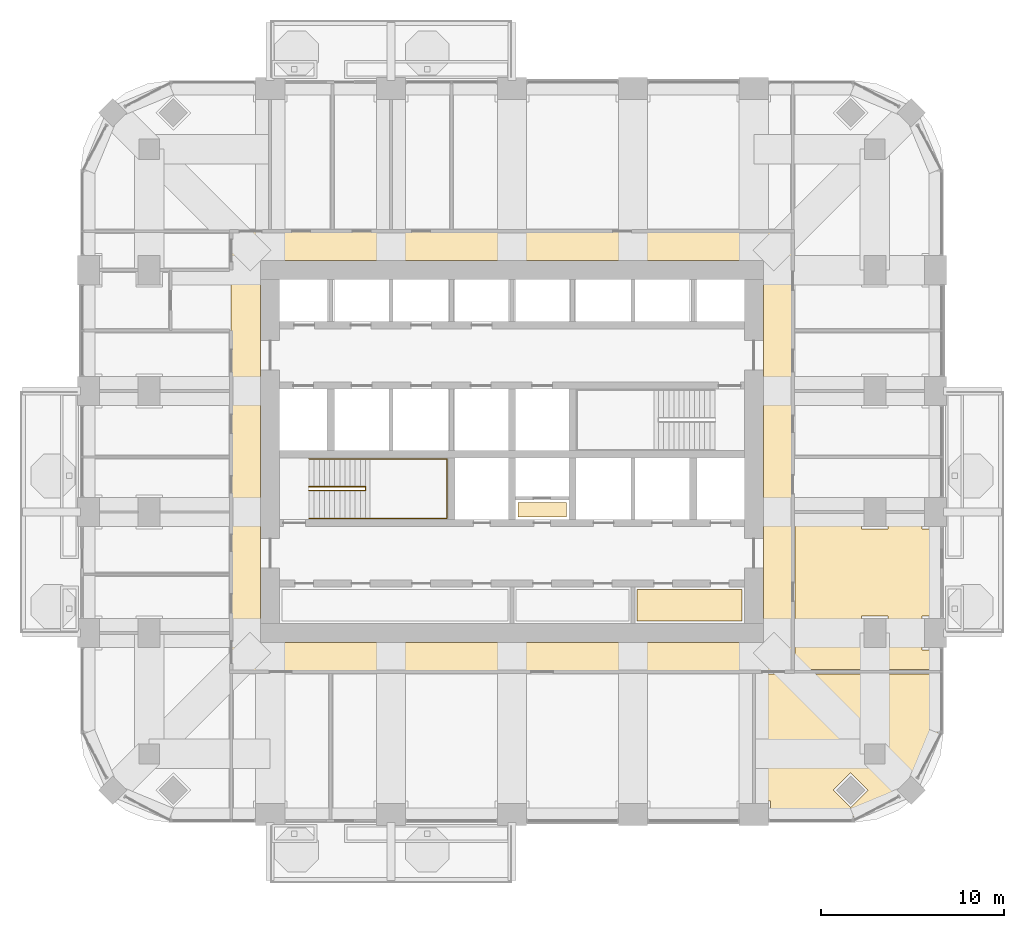
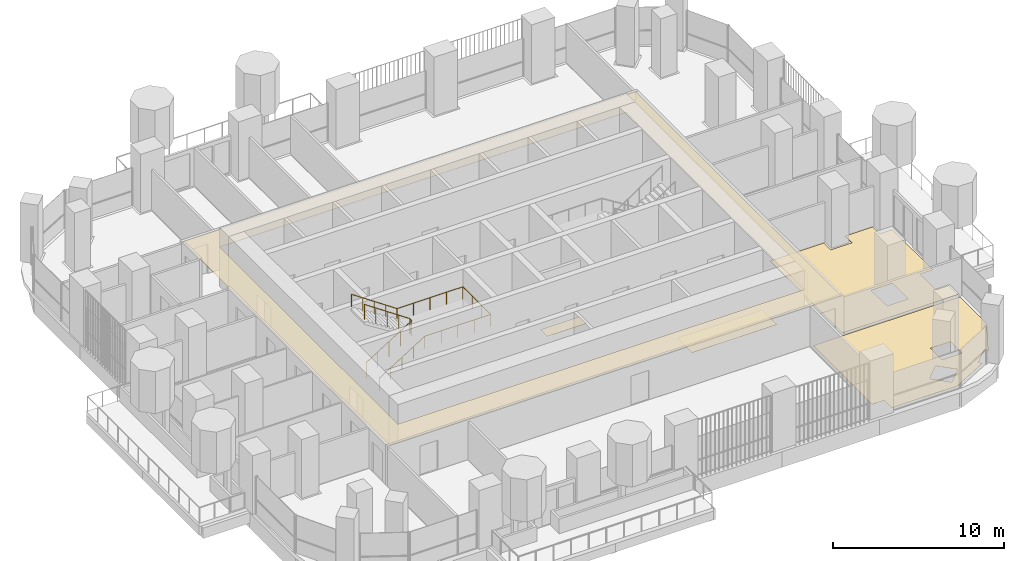
# One storey, part 17 of 20: 5 coverings, 2 railings.
"""IFC4 building model written with IfcOpenShell, lengths in metres."""

import ifcopenshell
import ifcopenshell.guid

model = None  # the IFC model being written
_history = None  # IfcOwnerHistory: only IFC2X3 demands one
_inside = {}  # id of a spatial element -> (the spatial element, [elements in it])
_under = {}  # id of a project, library or spatial element -> (it, [spatial elements below it])
_declared = {}  # id of a project -> (the project, [libraries it declares])
_typed = {}  # id of a type object -> (the type object, [elements of that type])
_made_of = {}  # id of a material, layer set ... -> (it, [elements and type objects made of it])


def new_model(schema):
    """Start an empty IFC model of exactly this schema.

    Asked for "IFC4X3", IfcOpenShell would pick the latest addendum, in which some entities
    have other attributes; the version numbers below select the first issue.
    IFC2X3 requires an IfcOwnerHistory on every rooted entity: one is made here for all.
    """
    global model, _history
    if schema == "IFC4X3":
        model = ifcopenshell.file(schema_version=(4, 3, 0, 0))
    else:
        model = ifcopenshell.file(schema=schema)
    _inside.clear()
    _under.clear()
    _declared.clear()
    _typed.clear()
    _made_of.clear()
    _history = None
    if model.schema == "IFC2X3":
        org = make("IfcOrganization", Name="unknown")
        user = make(
            "IfcPersonAndOrganization",
            ThePerson=make("IfcPerson", FamilyName="unknown"),
            TheOrganization=org,
        )
        app = make(
            "IfcApplication",
            ApplicationDeveloper=org,
            Version="unknown",
            ApplicationFullName="unknown",
            ApplicationIdentifier="unknown",
        )
        _history = make(
            "IfcOwnerHistory",
            OwningUser=user,
            OwningApplication=app,
            ChangeAction="ADDED",
            CreationDate=0,
        )
    return model


def make(cls, **values):
    """One entity of the class cls with the attributes given. An attribute that is None is left unset."""
    return model.create_entity(
        cls, **{name: value for name, value in values.items() if value is not None}
    )


def rooted(cls, **values):
    """An entity with a GlobalId (a new one), such as an element, a storey or a relation."""
    return make(cls, GlobalId=ifcopenshell.guid.new(), OwnerHistory=_history, **values)


def si_unit(unit_type, name, prefix=None):
    """IfcSIUnit, for example si_unit("LENGTHUNIT", "METRE", prefix="MILLI")."""
    return make("IfcSIUnit", UnitType=unit_type, Prefix=prefix, Name=name)


def assignment(units):
    """IfcUnitAssignment: the units of a project."""
    return None if units is None else make("IfcUnitAssignment", Units=units)


def point(xyz):
    """IfcCartesianPoint."""
    return None if xyz is None else make("IfcCartesianPoint", Coordinates=xyz)


def direction(xyz):
    """IfcDirection."""
    return None if xyz is None else make("IfcDirection", DirectionRatios=xyz)


def frame(location, z_axis=None, x_axis=None):
    """IfcAxis2Placement3D, a coordinate frame: its origin and axes. An axis left out is left unset."""
    return make(
        "IfcAxis2Placement3D",
        Location=point(location),
        Axis=direction(z_axis),
        RefDirection=direction(x_axis),
    )


def origin():
    """The frame at (0, 0, 0) with its axes left unset."""
    return frame((0.0, 0.0, 0.0))


def place(relative_to, where):
    """IfcLocalPlacement: puts the frame where relative to a parent placement (None: the world)."""
    return make(
        "IfcLocalPlacement", PlacementRelTo=relative_to, RelativePlacement=where
    )


def context(
    kind, dimensions, precision=None, world=None, true_north=None, identifier=None
):
    """IfcGeometricRepresentationContext, for example the 3D "Model" context."""
    return make(
        "IfcGeometricRepresentationContext",
        ContextIdentifier=identifier,
        ContextType=kind,
        CoordinateSpaceDimension=dimensions,
        Precision=precision,
        WorldCoordinateSystem=world,
        TrueNorth=true_north,
    )


def subcontext(parent, identifier, kind, view, scale=None):
    """IfcGeometricRepresentationSubContext, for example "Body" below "Model"."""
    return make(
        "IfcGeometricRepresentationSubContext",
        ContextIdentifier=identifier,
        ContextType=kind,
        ParentContext=parent,
        TargetScale=scale,
        TargetView=view,
    )


def project(units=None, contexts=None):
    """IfcProject with its units and contexts."""
    return rooted(
        "IfcProject",
        Name="project",
        RepresentationContexts=contexts,
        UnitsInContext=assignment(units),
    )


def spatial(cls, under=None, at=None, **own):
    """A site, building, storey or space (cls), placed at a placement, below another one or the project."""
    s = rooted(cls, ObjectPlacement=at, **own)
    if under is not None:
        _under.setdefault(under.id(), (under, []))[1].append(s)
    return s


def polyline(points):
    """IfcPolyline through the points."""
    return make("IfcPolyline", Points=[point(p) for p in points])


def outline(outer, holes=None, kind="AREA"):
    """IfcArbitraryClosedProfileDef: a profile drawn as a closed curve; with holes, ...WithVoids."""
    if holes is None:
        return make("IfcArbitraryClosedProfileDef", ProfileType=kind, OuterCurve=outer)
    return make(
        "IfcArbitraryProfileDefWithVoids",
        ProfileType=kind,
        OuterCurve=outer,
        InnerCurves=holes,
    )


def extrude(swept, where, along, depth):
    """IfcExtrudedAreaSolid: the profile swept, set in the frame where, extruded along a direction by depth."""
    return make(
        "IfcExtrudedAreaSolid",
        SweptArea=swept,
        Position=where,
        ExtrudedDirection=direction(along),
        Depth=depth,
    )


def shape(context_of_items, identifier, shape_type, items):
    """IfcShapeRepresentation: the items that make up one representation, for example the "Body"."""
    return make(
        "IfcShapeRepresentation",
        ContextOfItems=context_of_items,
        RepresentationIdentifier=identifier,
        RepresentationType=shape_type,
        Items=items,
    )


def material(Name=None, Category=None):
    """IfcMaterial."""
    return make("IfcMaterial", Name=Name, Category=Category)


def layer(
    of_material, thickness, ventilated=None, Name=None, Category=None, Priority=None
):
    """IfcMaterialLayer: one layer of a wall or slab, of a material (None: an air gap)."""
    return make(
        "IfcMaterialLayer",
        Material=of_material,
        LayerThickness=thickness,
        IsVentilated=ventilated,
        Name=Name,
        Category=Category,
        Priority=Priority,
    )


def layer_set(layers, Name=None):
    """IfcMaterialLayerSet."""
    return make("IfcMaterialLayerSet", MaterialLayers=layers, LayerSetName=Name)


def made_of(thing, what):
    """Note that an element or type object is made of a material, layer set ...; save() writes the relation."""
    if what is not None:
        _made_of.setdefault(what.id(), (what, []))[1].append(thing)
    return thing


def type_object(cls, material=None, **own):
    """A type object (cls), such as IfcWallType, which elements share."""
    return made_of(rooted(cls, **own), material)


def element(
    cls,
    number,
    at=None,
    inside=None,
    cuts=None,
    type_object=None,
    material=None,
    context=None,
    identifier="Body",
    shape_type=None,
    held_by="IfcProductDefinitionShape",
    body=None,
    shapes=None,
    **own,
):
    """One element of the class cls, such as IfcWall. Its Tag is "e" and its number.

    at: its placement. inside: the storey or other place that contains it. cuts: it is an
    opening in that element (IfcRelVoidsElement). A single representation is given by context,
    identifier, shape_type and body (its items); several are given by shapes. held_by: the class
    of the entity that holds the representations. save() writes the other relations.
    """
    e = rooted(cls, Tag="e%d" % number, ObjectPlacement=at, **own)
    if body is not None:
        shapes = [shape(context, identifier, shape_type, body)]
    if shapes is not None:
        e.Representation = make(held_by, Representations=shapes)
    if inside is not None:
        _inside.setdefault(inside.id(), (inside, []))[1].append(e)
    if cuts is not None:
        rooted(
            "IfcRelVoidsElement", RelatingBuildingElement=cuts, RelatedOpeningElement=e
        )
    if type_object is not None:
        _typed.setdefault(type_object.id(), (type_object, []))[1].append(e)
    return made_of(e, material)


def aggregate(whole, parts):
    """IfcRelAggregates: a whole, such as a stair, and the parts it consists of."""
    return rooted("IfcRelAggregates", RelatingObject=whole, RelatedObjects=parts)


def save(model, path):
    """Write the relations noted so far, then the file.

    IfcRelAggregates (storeys below a building ...), IfcRelContainedInSpatialStructure (elements
    in a storey), IfcRelDefinesByType, IfcRelAssociatesMaterial and IfcRelDeclares: one each for
    every whole, place, type object, material and project.
    """
    for whole, parts in _under.values():
        aggregate(whole, parts)
    for where, things in _inside.values():
        rooted(
            "IfcRelContainedInSpatialStructure",
            RelatedElements=things,
            RelatingStructure=where,
        )
    for kind, things in _typed.values():
        rooted("IfcRelDefinesByType", RelatedObjects=things, RelatingType=kind)
    for what, things in _made_of.values():
        rooted("IfcRelAssociatesMaterial", RelatedObjects=things, RelatingMaterial=what)
    for by, libraries in _declared.values():
        rooted("IfcRelDeclares", RelatingContext=by, RelatedDefinitions=libraries)
    model.write(path)


model = new_model("IFC4")

# Units and contexts
model_context = context("Model", 3, precision=1e-05, world=origin(), true_north=direction((0.0, 1.0)))
body_context = subcontext(model_context, "Body", "Model", "MODEL_VIEW")
ifc_project = project(units=[si_unit("LENGTHUNIT", "METRE"), si_unit("AREAUNIT", "SQUARE_METRE"), si_unit("VOLUMEUNIT", "CUBIC_METRE"), si_unit("PLANEANGLEUNIT", "RADIAN"), si_unit("MASSUNIT", "GRAM", prefix="KILO")], contexts=[model_context])

# Site, building, storey
site_placement = place(None, origin())
site = spatial("IfcSite", under=ifc_project, at=site_placement, CompositionType="ELEMENT")
building_placement = place(site_placement, origin())
building = spatial("IfcBuilding", under=site, at=building_placement, Name="Cobogo Forest Laboratory Tower", CompositionType="ELEMENT")
storey_placement = place(building_placement, frame((0.0, 0.0, 201.89990234375)))
storey = spatial("IfcBuildingStorey", under=building, at=storey_placement, Name="L46", CompositionType="ELEMENT", Elevation=201.89990234375)

# Coverings
ifc_material_1 = material(Name="Mineral fibre ceiling tile", Category="ceiling")
ifc_layer_1 = layer(ifc_material_1, 0.02001953125)
ifc_layer_set_1 = layer_set([ifc_layer_1], Name="CL1 suspended ceiling")
covering_type_1 = type_object("IfcCoveringType", Name="CL1 suspended ceiling", PredefinedType="CEILING", material=ifc_layer_set_1)
covering_1_placement = place(storey_placement, frame((0.0, 0.0, 2.800048828125)))
element("IfcCovering", 1, at=covering_1_placement, inside=storey, type_object=covering_type_1, Name="Corridor ceiling L46", PredefinedType="CEILING", context=body_context, shape_type="SweptSolid", body=[
    extrude(outline(polyline([(11.074951171875, 11.074951171875), (11.074951171875, 35.125), (41.72509765625, 35.125), (41.72509765625, 11.074951171875), (11.074951171875, 11.074951171875)]), holes=[polyline([(40.125, 33.52490234375), (12.675048828125, 33.52490234375), (12.675048828125, 12.675048828125), (40.125, 12.675048828125), (40.125, 33.52490234375)])]), origin(), (0.0, 0.0, 1.0), 0.02001953125),
])
ifc_material_2 = material(Name="Carpet tile on raised access floor", Category="flooring")
ifc_layer_2 = layer(ifc_material_2, 0.008056640625)
ifc_layer_set_2 = layer_set([ifc_layer_2], Name="CT1 carpet tile floor 8")
covering_type_2 = type_object("IfcCoveringType", Name="CT1 carpet tile floor 8", PredefinedType="FLOORING", material=ifc_layer_set_2)
covering_2_placement = place(storey_placement, origin())
element("IfcCovering", 2, at=covering_2_placement, inside=storey, type_object=covering_type_2, Name="Carpet floor L46-04", PredefinedType="FLOORING", context=body_context, shape_type="SweptSolid", body=[
    extrude(outline(polyline([(41.844970703125, 19.679931640625), (45.47998046875, 19.679931640625), (45.47998046875, 18.8798828125), (46.919921875, 18.8798828125), (46.919921875, 19.679931640625), (48.780029296875, 19.679931640625), (48.780029296875, 18.8798828125), (49.64990234375, 18.8798828125), (49.64990234375, 14.1201171875), (48.780029296875, 14.1201171875), (48.780029296875, 12.280029296875), (49.64990234375, 12.280029296875), (49.64990234375, 11.195068359375), (41.844970703125, 11.195068359375), (41.844970703125, 19.679931640625)]), holes=[polyline([(46.919921875, 12.280029296875), (46.919921875, 14.1201171875), (45.47998046875, 14.1201171875), (45.47998046875, 12.280029296875), (46.919921875, 12.280029296875)])]), origin(), (0.0, 0.0, 1.0), 0.008056640625),
])
covering_3_placement = place(storey_placement, origin())
element("IfcCovering", 3, at=covering_3_placement, inside=storey, type_object=covering_type_2, Name="Carpet floor L46-28", PredefinedType="FLOORING", context=body_context, shape_type="SweptSolid", body=[
    extrude(outline(polyline([(29.3798828125, 19.52001953125), (26.719970703125, 19.52001953125), (26.719970703125, 20.330078125), (29.3798828125, 20.330078125), (29.3798828125, 19.52001953125)])), origin(), (0.0, 0.0, 1.0), 0.008056640625),
])
covering_4_placement = place(storey_placement, origin())
element("IfcCovering", 4, at=covering_4_placement, inside=storey, type_object=covering_type_2, Name="Carpet floor L46-32", PredefinedType="FLOORING", context=body_context, shape_type="SweptSolid", body=[
    extrude(outline(polyline([(38.955078125, 13.844970703125), (33.219970703125, 13.844970703125), (33.219970703125, 15.580078125), (38.955078125, 15.580078125), (38.955078125, 13.844970703125)])), origin(), (0.0, 0.0, 1.0), 0.008056640625),
])

# Railings
ifc_material_3 = material(Name="Steel balustrade", Category="steel")
railing_type_1 = type_object("IfcRailingType", Name="GR stair guard 1100", PredefinedType="GUARDRAIL", material=ifc_material_3)
railing_1_placement = place(storey_placement, frame((15.324951171875, 20.969970703125, 0.175048828125)))
element("IfcRailing", 5, at=railing_1_placement, inside=storey, type_object=railing_type_1, Name="Stair guard ST1 L46", PredefinedType="GUARDRAIL", context=body_context, shape_type="SweptSolid", body=[
    extrude(outline(polyline([(0.022216796875, 0.00927734375), (0.00927734375, 0.022216796875), (-0.00927734375, 0.022216796875), (-0.022216796875, 0.00927734375), (-0.022216796875, -0.00927734375), (-0.00927734375, -0.022216796875), (0.00927734375, -0.022216796875), (0.022216796875, -0.00927734375), (0.022216796875, 0.00927734375)])), frame((0.0, 0.0, 1.077880859375), z_axis=(0.847998304005, 0.0, 0.529998940003), x_axis=(0.0, 1.0, 0.0)), (0.0, 0.0, 1.0), 3.632080078125),
    extrude(outline(polyline([(0.022216796875, 0.00927734375), (0.00927734375, 0.022216796875), (-0.00927734375, 0.022216796875), (-0.022216796875, 0.00927734375), (-0.022216796875, -0.00927734375), (-0.00927734375, -0.022216796875), (0.00927734375, -0.022216796875), (0.022216796875, -0.00927734375), (0.022216796875, 0.00927734375)])), frame((3.080078125, 0.0, 3.0029296875), z_axis=(0.0, 1.0, 0.0), x_axis=(-1.0, 0.0, 0.0)), (0.0, 0.0, 1.0), 0.2099609375),
    extrude(outline(polyline([(0.022216796875, 0.00927734375), (0.00927734375, 0.022216796875), (-0.00927734375, 0.022216796875), (-0.022216796875, 0.00927734375), (-0.022216796875, -0.00927734375), (-0.00927734375, -0.022216796875), (0.00927734375, -0.022216796875), (0.022216796875, -0.00927734375), (0.022216796875, 0.00927734375)])), frame((3.080078125, 0.2099609375, 3.0029296875), z_axis=(-0.826221800596, 0.0, 0.563344953133), x_axis=(0.0, -1.0, 0.0)), (0.0, 0.0, 1.0), 3.72802734375),
    extrude(outline(polyline([(0.019287109375, 0.008056640625), (0.008056640625, 0.019287109375), (-0.008056640625, 0.019287109375), (-0.019287109375, 0.008056640625), (-0.019287109375, -0.008056640625), (-0.008056640625, -0.019287109375), (0.008056640625, -0.019287109375), (0.019287109375, -0.008056640625), (0.019287109375, 0.008056640625)])), origin(), (0.0, 0.0, 1.0), 1.077880859375),
    extrude(outline(polyline([(0.019287109375, 0.008056640625), (0.008056640625, 0.019287109375), (-0.008056640625, 0.019287109375), (-0.019287109375, 0.008056640625), (-0.019287109375, -0.008056640625), (-0.008056640625, -0.019287109375), (0.008056640625, -0.019287109375), (0.019287109375, -0.008056640625), (0.019287109375, 0.008056640625)])), frame((0.77001953125, 0.0, 0.481201171875)), (0.0, 0.0, 1.0), 1.077880859375),
    extrude(outline(polyline([(0.019287109375, 0.008056640625), (0.008056640625, 0.019287109375), (-0.008056640625, 0.019287109375), (-0.019287109375, 0.008056640625), (-0.019287109375, -0.008056640625), (-0.008056640625, -0.019287109375), (0.008056640625, -0.019287109375), (0.019287109375, -0.008056640625), (0.019287109375, 0.008056640625)])), frame((1.5400390625, 0.0, 0.96240234375)), (0.0, 0.0, 1.0), 1.077880859375),
    extrude(outline(polyline([(0.019287109375, 0.008056640625), (0.008056640625, 0.019287109375), (-0.008056640625, 0.019287109375), (-0.019287109375, 0.008056640625), (-0.019287109375, -0.008056640625), (-0.008056640625, -0.019287109375), (0.008056640625, -0.019287109375), (0.019287109375, -0.008056640625), (0.019287109375, 0.008056640625)])), frame((2.31005859375, 0.0, 1.44384765625)), (0.0, 0.0, 1.0), 1.077880859375),
    extrude(outline(polyline([(0.019287109375, 0.008056640625), (0.008056640625, 0.019287109375), (-0.008056640625, 0.019287109375), (-0.019287109375, 0.008056640625), (-0.019287109375, -0.008056640625), (-0.008056640625, -0.019287109375), (0.008056640625, -0.019287109375), (0.019287109375, -0.008056640625), (0.019287109375, 0.008056640625)])), frame((3.080078125, 0.0, 1.925048828125)), (0.0, 0.0, 1.0), 1.077880859375),
    extrude(outline(polyline([(0.019287109375, 0.008056640625), (0.008056640625, 0.019287109375), (-0.008056640625, 0.019287109375), (-0.019287109375, 0.008056640625), (-0.019287109375, -0.008056640625), (-0.008056640625, -0.019287109375), (0.008056640625, -0.019287109375), (0.019287109375, -0.008056640625), (0.019287109375, 0.008056640625)])), frame((3.080078125, 0.2099609375, 1.925048828125)), (0.0, 0.0, 1.0), 1.077880859375),
    extrude(outline(polyline([(0.019287109375, 0.008056640625), (0.008056640625, 0.019287109375), (-0.008056640625, 0.019287109375), (-0.019287109375, 0.008056640625), (-0.019287109375, -0.008056640625), (-0.008056640625, -0.019287109375), (0.008056640625, -0.019287109375), (0.019287109375, -0.008056640625), (0.019287109375, 0.008056640625)])), frame((2.31005859375, 0.2099609375, 2.4501953125)), (0.0, 0.0, 1.0), 1.077880859375),
    extrude(outline(polyline([(0.019287109375, 0.008056640625), (0.008056640625, 0.019287109375), (-0.008056640625, 0.019287109375), (-0.019287109375, 0.008056640625), (-0.019287109375, -0.008056640625), (-0.008056640625, -0.019287109375), (0.008056640625, -0.019287109375), (0.019287109375, -0.008056640625), (0.019287109375, 0.008056640625)])), frame((1.5400390625, 0.2099609375, 2.97509765625)), (0.0, 0.0, 1.0), 1.077880859375),
    extrude(outline(polyline([(0.019287109375, 0.008056640625), (0.008056640625, 0.019287109375), (-0.008056640625, 0.019287109375), (-0.019287109375, 0.008056640625), (-0.019287109375, -0.008056640625), (-0.008056640625, -0.019287109375), (0.008056640625, -0.019287109375), (0.019287109375, -0.008056640625), (0.019287109375, 0.008056640625)])), frame((0.77001953125, 0.2099609375, 3.5)), (0.0, 0.0, 1.0), 1.077880859375),
    extrude(outline(polyline([(0.019287109375, 0.008056640625), (0.008056640625, 0.019287109375), (-0.008056640625, 0.019287109375), (-0.019287109375, 0.008056640625), (-0.019287109375, -0.008056640625), (-0.008056640625, -0.019287109375), (0.008056640625, -0.019287109375), (0.019287109375, -0.008056640625), (0.019287109375, 0.008056640625)])), frame((0.0, 0.2099609375, 4.025146484375)), (0.0, 0.0, 1.0), 1.077880859375),
])
ifc_material_4 = material(Name="Stainless steel handrail", Category="steel")
railing_type_2 = type_object("IfcRailingType", Name="HR handrail 900", PredefinedType="HANDRAIL", material=ifc_material_4)
railing_2_placement = place(storey_placement, frame((15.324951171875, 19.449951171875, 0.175048828125)))
element("IfcRailing", 6, at=railing_2_placement, inside=storey, type_object=railing_type_2, Name="Stair handrail ST1 L46", PredefinedType="HANDRAIL", context=body_context, shape_type="SweptSolid", body=[
    extrude(outline(polyline([(0.022216796875, 0.00927734375), (0.00927734375, 0.022216796875), (-0.00927734375, 0.022216796875), (-0.022216796875, 0.00927734375), (-0.022216796875, -0.00927734375), (-0.00927734375, -0.022216796875), (0.00927734375, -0.022216796875), (0.022216796875, -0.00927734375), (0.022216796875, 0.00927734375)])), frame((0.0, 0.0, 0.877685546875), z_axis=(0.847998304005, 0.0, 0.529998940003), x_axis=(0.0, 1.0, 0.0)), (0.0, 0.0, 1.0), 3.632080078125),
    extrude(outline(polyline([(0.022216796875, 0.00927734375), (0.00927734375, 0.022216796875), (-0.00927734375, 0.022216796875), (-0.022216796875, 0.00927734375), (-0.022216796875, -0.00927734375), (-0.00927734375, -0.022216796875), (0.00927734375, -0.022216796875), (0.022216796875, -0.00927734375), (0.022216796875, 0.00927734375)])), frame((3.080078125, 0.0, 2.802734375), z_axis=(1.0, 0.0, 0.0), x_axis=(0.0, 1.0, 0.0)), (0.0, 0.0, 1.0), 4.445068359375),
    extrude(outline(polyline([(0.022216796875, 0.00927734375), (0.00927734375, 0.022216796875), (-0.00927734375, 0.022216796875), (-0.022216796875, 0.00927734375), (-0.022216796875, -0.00927734375), (-0.00927734375, -0.022216796875), (0.00927734375, -0.022216796875), (0.022216796875, -0.00927734375), (0.022216796875, 0.00927734375)])), frame((7.525146484375, 0.0, 2.802734375), z_axis=(0.0, 1.0, 0.0), x_axis=(-1.0, 0.0, 0.0)), (0.0, 0.0, 1.0), 3.25),
    extrude(outline(polyline([(0.022216796875, 0.00927734375), (0.00927734375, 0.022216796875), (-0.00927734375, 0.022216796875), (-0.022216796875, 0.00927734375), (-0.022216796875, -0.00927734375), (-0.00927734375, -0.022216796875), (0.00927734375, -0.022216796875), (0.022216796875, -0.00927734375), (0.022216796875, 0.00927734375)])), frame((7.525146484375, 3.25, 2.802734375), z_axis=(-1.0, 0.0, 0.0), x_axis=(0.0, -1.0, 0.0)), (0.0, 0.0, 1.0), 4.445068359375),
    extrude(outline(polyline([(0.022216796875, 0.00927734375), (0.00927734375, 0.022216796875), (-0.00927734375, 0.022216796875), (-0.022216796875, 0.00927734375), (-0.022216796875, -0.00927734375), (-0.00927734375, -0.022216796875), (0.00927734375, -0.022216796875), (0.022216796875, -0.00927734375), (0.022216796875, 0.00927734375)])), frame((3.080078125, 3.25, 2.802734375), z_axis=(-0.826221800596, 0.0, 0.563344953133), x_axis=(0.0, -1.0, 0.0)), (0.0, 0.0, 1.0), 3.72802734375),
    extrude(outline(polyline([(0.019287109375, 0.008056640625), (0.008056640625, 0.019287109375), (-0.008056640625, 0.019287109375), (-0.019287109375, 0.008056640625), (-0.019287109375, -0.008056640625), (-0.008056640625, -0.019287109375), (0.008056640625, -0.019287109375), (0.019287109375, -0.008056640625), (0.019287109375, 0.008056640625)])), origin(), (0.0, 0.0, 1.0), 0.877685546875),
    extrude(outline(polyline([(0.019287109375, 0.008056640625), (0.008056640625, 0.019287109375), (-0.008056640625, 0.019287109375), (-0.019287109375, 0.008056640625), (-0.019287109375, -0.008056640625), (-0.008056640625, -0.019287109375), (0.008056640625, -0.019287109375), (0.019287109375, -0.008056640625), (0.019287109375, 0.008056640625)])), frame((0.77001953125, 0.0, 0.481201171875)), (0.0, 0.0, 1.0), 0.877685546875),
    extrude(outline(polyline([(0.019287109375, 0.008056640625), (0.008056640625, 0.019287109375), (-0.008056640625, 0.019287109375), (-0.019287109375, 0.008056640625), (-0.019287109375, -0.008056640625), (-0.008056640625, -0.019287109375), (0.008056640625, -0.019287109375), (0.019287109375, -0.008056640625), (0.019287109375, 0.008056640625)])), frame((1.5400390625, 0.0, 0.96240234375)), (0.0, 0.0, 1.0), 0.877685546875),
    extrude(outline(polyline([(0.019287109375, 0.008056640625), (0.008056640625, 0.019287109375), (-0.008056640625, 0.019287109375), (-0.019287109375, 0.008056640625), (-0.019287109375, -0.008056640625), (-0.008056640625, -0.019287109375), (0.008056640625, -0.019287109375), (0.019287109375, -0.008056640625), (0.019287109375, 0.008056640625)])), frame((2.31005859375, 0.0, 1.44384765625)), (0.0, 0.0, 1.0), 0.877685546875),
    extrude(outline(polyline([(0.019287109375, 0.008056640625), (0.008056640625, 0.019287109375), (-0.008056640625, 0.019287109375), (-0.019287109375, 0.008056640625), (-0.019287109375, -0.008056640625), (-0.008056640625, -0.019287109375), (0.008056640625, -0.019287109375), (0.019287109375, -0.008056640625), (0.019287109375, 0.008056640625)])), frame((3.080078125, 0.0, 1.925048828125)), (0.0, 0.0, 1.0), 0.877685546875),
    extrude(outline(polyline([(0.019287109375, 0.008056640625), (0.008056640625, 0.019287109375), (-0.008056640625, 0.019287109375), (-0.019287109375, 0.008056640625), (-0.019287109375, -0.008056640625), (-0.008056640625, -0.019287109375), (0.008056640625, -0.019287109375), (0.019287109375, -0.008056640625), (0.019287109375, 0.008056640625)])), frame((4.19140625, 0.0, 1.925048828125)), (0.0, 0.0, 1.0), 0.877685546875),
    extrude(outline(polyline([(0.019287109375, 0.008056640625), (0.008056640625, 0.019287109375), (-0.008056640625, 0.019287109375), (-0.019287109375, 0.008056640625), (-0.019287109375, -0.008056640625), (-0.008056640625, -0.019287109375), (0.008056640625, -0.019287109375), (0.019287109375, -0.008056640625), (0.019287109375, 0.008056640625)])), frame((5.302734375, 0.0, 1.925048828125)), (0.0, 0.0, 1.0), 0.877685546875),
    extrude(outline(polyline([(0.019287109375, 0.008056640625), (0.008056640625, 0.019287109375), (-0.008056640625, 0.019287109375), (-0.019287109375, 0.008056640625), (-0.019287109375, -0.008056640625), (-0.008056640625, -0.019287109375), (0.008056640625, -0.019287109375), (0.019287109375, -0.008056640625), (0.019287109375, 0.008056640625)])), frame((6.413818359375, 0.0, 1.925048828125)), (0.0, 0.0, 1.0), 0.877685546875),
    extrude(outline(polyline([(0.019287109375, 0.008056640625), (0.008056640625, 0.019287109375), (-0.008056640625, 0.019287109375), (-0.019287109375, 0.008056640625), (-0.019287109375, -0.008056640625), (-0.008056640625, -0.019287109375), (0.008056640625, -0.019287109375), (0.019287109375, -0.008056640625), (0.019287109375, 0.008056640625)])), frame((7.525146484375, 0.0, 1.925048828125)), (0.0, 0.0, 1.0), 0.877685546875),
    extrude(outline(polyline([(0.019287109375, 0.008056640625), (0.008056640625, 0.019287109375), (-0.008056640625, 0.019287109375), (-0.019287109375, 0.008056640625), (-0.019287109375, -0.008056640625), (-0.008056640625, -0.019287109375), (0.008056640625, -0.019287109375), (0.019287109375, -0.008056640625), (0.019287109375, 0.008056640625)])), frame((7.525146484375, 1.083251953125, 1.925048828125)), (0.0, 0.0, 1.0), 0.877685546875),
    extrude(outline(polyline([(0.019287109375, 0.008056640625), (0.008056640625, 0.019287109375), (-0.008056640625, 0.019287109375), (-0.019287109375, 0.008056640625), (-0.019287109375, -0.008056640625), (-0.008056640625, -0.019287109375), (0.008056640625, -0.019287109375), (0.019287109375, -0.008056640625), (0.019287109375, 0.008056640625)])), frame((7.525146484375, 2.166748046875, 1.925048828125)), (0.0, 0.0, 1.0), 0.877685546875),
    extrude(outline(polyline([(0.019287109375, 0.008056640625), (0.008056640625, 0.019287109375), (-0.008056640625, 0.019287109375), (-0.019287109375, 0.008056640625), (-0.019287109375, -0.008056640625), (-0.008056640625, -0.019287109375), (0.008056640625, -0.019287109375), (0.019287109375, -0.008056640625), (0.019287109375, 0.008056640625)])), frame((7.525146484375, 3.25, 1.925048828125)), (0.0, 0.0, 1.0), 0.877685546875),
    extrude(outline(polyline([(0.019287109375, 0.008056640625), (0.008056640625, 0.019287109375), (-0.008056640625, 0.019287109375), (-0.019287109375, 0.008056640625), (-0.019287109375, -0.008056640625), (-0.008056640625, -0.019287109375), (0.008056640625, -0.019287109375), (0.019287109375, -0.008056640625), (0.019287109375, 0.008056640625)])), frame((6.413818359375, 3.25, 1.925048828125)), (0.0, 0.0, 1.0), 0.877685546875),
    extrude(outline(polyline([(0.019287109375, 0.008056640625), (0.008056640625, 0.019287109375), (-0.008056640625, 0.019287109375), (-0.019287109375, 0.008056640625), (-0.019287109375, -0.008056640625), (-0.008056640625, -0.019287109375), (0.008056640625, -0.019287109375), (0.019287109375, -0.008056640625), (0.019287109375, 0.008056640625)])), frame((5.302734375, 3.25, 1.925048828125)), (0.0, 0.0, 1.0), 0.877685546875),
    extrude(outline(polyline([(0.019287109375, 0.008056640625), (0.008056640625, 0.019287109375), (-0.008056640625, 0.019287109375), (-0.019287109375, 0.008056640625), (-0.019287109375, -0.008056640625), (-0.008056640625, -0.019287109375), (0.008056640625, -0.019287109375), (0.019287109375, -0.008056640625), (0.019287109375, 0.008056640625)])), frame((4.19140625, 3.25, 1.925048828125)), (0.0, 0.0, 1.0), 0.877685546875),
    extrude(outline(polyline([(0.019287109375, 0.008056640625), (0.008056640625, 0.019287109375), (-0.008056640625, 0.019287109375), (-0.019287109375, 0.008056640625), (-0.019287109375, -0.008056640625), (-0.008056640625, -0.019287109375), (0.008056640625, -0.019287109375), (0.019287109375, -0.008056640625), (0.019287109375, 0.008056640625)])), frame((3.080078125, 3.25, 1.925048828125)), (0.0, 0.0, 1.0), 0.877685546875),
    extrude(outline(polyline([(0.019287109375, 0.008056640625), (0.008056640625, 0.019287109375), (-0.008056640625, 0.019287109375), (-0.019287109375, 0.008056640625), (-0.019287109375, -0.008056640625), (-0.008056640625, -0.019287109375), (0.008056640625, -0.019287109375), (0.019287109375, -0.008056640625), (0.019287109375, 0.008056640625)])), frame((2.31005859375, 3.25, 2.4501953125)), (0.0, 0.0, 1.0), 0.877685546875),
    extrude(outline(polyline([(0.019287109375, 0.008056640625), (0.008056640625, 0.019287109375), (-0.008056640625, 0.019287109375), (-0.019287109375, 0.008056640625), (-0.019287109375, -0.008056640625), (-0.008056640625, -0.019287109375), (0.008056640625, -0.019287109375), (0.019287109375, -0.008056640625), (0.019287109375, 0.008056640625)])), frame((1.5400390625, 3.25, 2.97509765625)), (0.0, 0.0, 1.0), 0.877685546875),
    extrude(outline(polyline([(0.019287109375, 0.008056640625), (0.008056640625, 0.019287109375), (-0.008056640625, 0.019287109375), (-0.019287109375, 0.008056640625), (-0.019287109375, -0.008056640625), (-0.008056640625, -0.019287109375), (0.008056640625, -0.019287109375), (0.019287109375, -0.008056640625), (0.019287109375, 0.008056640625)])), frame((0.77001953125, 3.25, 3.5)), (0.0, 0.0, 1.0), 0.877685546875),
    extrude(outline(polyline([(0.019287109375, 0.008056640625), (0.008056640625, 0.019287109375), (-0.008056640625, 0.019287109375), (-0.019287109375, 0.008056640625), (-0.019287109375, -0.008056640625), (-0.008056640625, -0.019287109375), (0.008056640625, -0.019287109375), (0.019287109375, -0.008056640625), (0.019287109375, 0.008056640625)])), frame((0.0, 3.25, 4.025146484375)), (0.0, 0.0, 1.0), 0.877685546875),
])

# Covering
ifc_material_5 = material(Name="Static-dissipative vinyl flooring", Category="flooring")
ifc_layer_3 = layer(ifc_material_5, 0.0029296875)
ifc_layer_set_3 = layer_set([ifc_layer_3], Name="SD1 static-dissipative vinyl floor 3")
covering_type_3 = type_object("IfcCoveringType", Name="SD1 static-dissipative vinyl floor 3", PredefinedType="FLOORING", material=ifc_layer_set_3)
covering_5_placement = place(storey_placement, origin())
element("IfcCovering", 7, at=covering_5_placement, inside=storey, type_object=covering_type_3, Name="Static-dissipative floor L46-03", PredefinedType="FLOORING", context=body_context, shape_type="SweptSolid", body=[
    extrude(outline(polyline([(49.64990234375, 10.955078125), (49.64990234375, 7.84912109375), (48.359619140625, 5.387939453125), (48.181884765625, 5.5654296875), (47.234375, 4.617919921875), (47.412109375, 4.440185546875), (44.95068359375, 3.14990234375), (40.52001953125, 3.14990234375), (40.52001953125, 4.02001953125), (39.719970703125, 4.02001953125), (39.719970703125, 10.955078125), (49.64990234375, 10.955078125)]), holes=[polyline([(45.530029296875, 5.929931640625), (46.8701171875, 5.929931640625), (46.8701171875, 7.27001953125), (45.530029296875, 7.27001953125), (45.530029296875, 5.929931640625)]), polyline([(44.882080078125, 3.67041015625), (45.82958984375, 4.617919921875), (44.882080078125, 5.5654296875), (43.9345703125, 4.617919921875), (44.882080078125, 3.67041015625)])]), origin(), (0.0, 0.0, 1.0), 0.003173828125),
])

save(model, "model.ifc")
